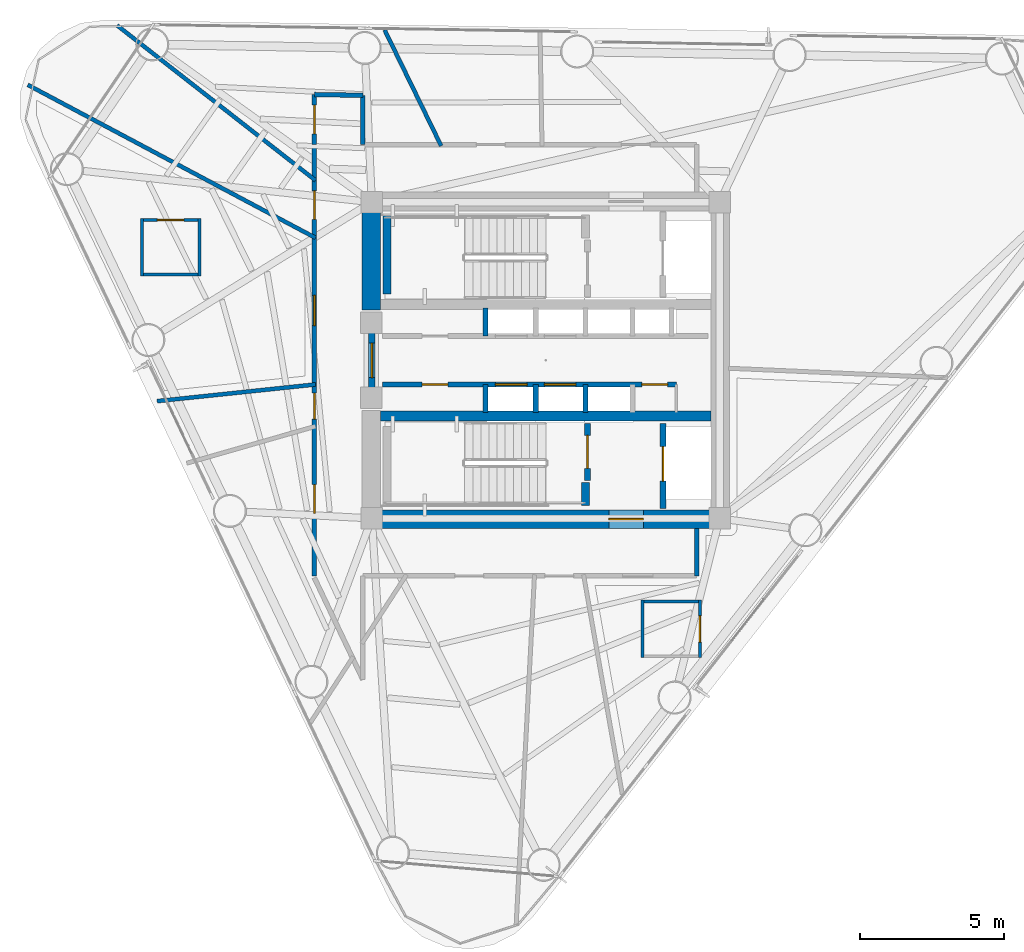
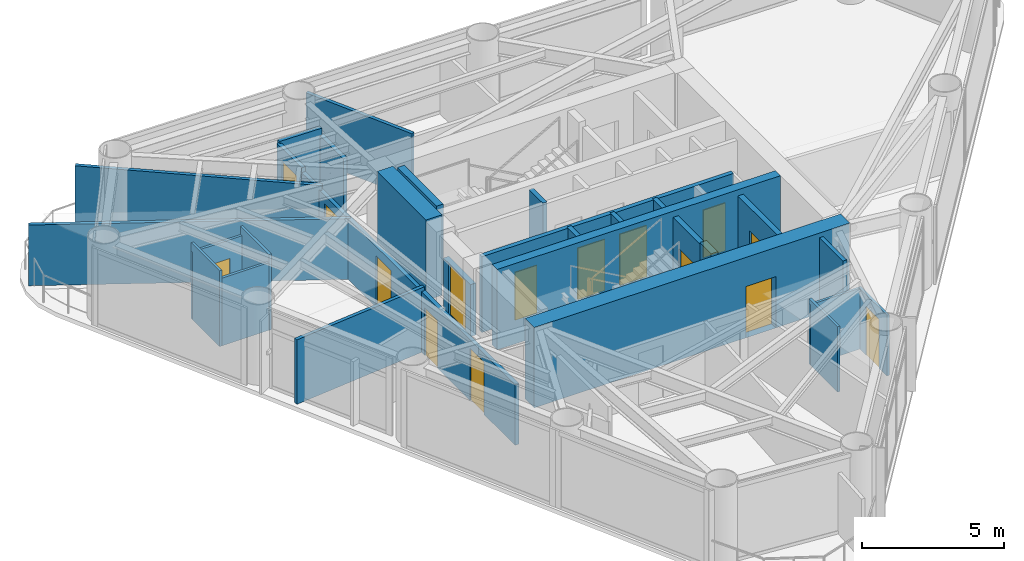
# One storey, part 5 of 10: 29 walls, 15 doors, 15 openings.
"""IFC4 building model written with IfcOpenShell, lengths in metres."""

from ifc_helpers import new_model, si_unit, direction, frame, frame_2d, origin, place, context, subcontext, project, spatial, rectangle, extrude, material, layer, layer_set, type_object, element, fill, save


model = new_model("IFC4")

# Units and contexts
model_context = context("Model", 3, precision=1e-05, world=origin(), true_north=direction((0.0, 1.0)))
body_context = subcontext(model_context, "Body", "Model", "MODEL_VIEW")
ifc_project = project(units=[si_unit("LENGTHUNIT", "METRE"), si_unit("AREAUNIT", "SQUARE_METRE"), si_unit("VOLUMEUNIT", "CUBIC_METRE"), si_unit("PLANEANGLEUNIT", "RADIAN"), si_unit("MASSUNIT", "GRAM", prefix="KILO")], contexts=[model_context])

# Site, building, storey
site_placement = place(None, origin())
site = spatial("IfcSite", under=ifc_project, at=site_placement, CompositionType="ELEMENT")
building_placement = place(site_placement, origin())
building = spatial("IfcBuilding", under=site, at=building_placement, Name="Yunling Apex Tower", CompositionType="ELEMENT")
storey_placement = place(building_placement, frame((0.0, 0.0, 191.449951171875)))
storey = spatial("IfcBuildingStorey", under=building, at=storey_placement, Name="L46", CompositionType="ELEMENT", Elevation=191.449951171875)

# Wall, opening, door
ifc_material_1 = material(Name="Concrete C50", Category="concrete")
ifc_layer_1 = layer(ifc_material_1, 0.64990234375)
ifc_layer_set_1 = layer_set([ifc_layer_1], Name="Concrete C50")
wall_type_1 = type_object("IfcWallType", Name="WL-COR-2", PredefinedType="SHEAR", material=ifc_layer_set_1)
wall_1_placement = place(storey_placement, frame((-6.39990234375, -5.52490234375, 0.0), z_axis=(0.0, 0.0, 1.0), x_axis=(1.0, 0.0, 0.0)))
wall_1 = element("IfcWall", 1, at=wall_1_placement, inside=storey, type_object=wall_type_1, Name="L46 South Core Shear Wall", PredefinedType="SHEAR", context=body_context, shape_type="SweptSolid", body=[
    extrude(rectangle(XDim=12.7998046875, YDim=0.64990234375, at=frame_2d((6.39990234375, 0.0))), origin(), (0.0, 0.0, 1.0), 3.449951171875),
])
opening_1_placement = place(wall_1_placement, frame((8.60009765625, 0.0, 0.0)))
opening_1 = element("IfcOpeningElement", 2, at=opening_1_placement, cuts=wall_1, Name="Opening DR-FFL-1", PredefinedType="OPENING", context=body_context, shape_type="SweptSolid", body=[
    extrude(rectangle(XDim=1.199951171875, YDim=2.199951171875, at=frame_2d((0.60009765625, 1.10009765625))), frame((0.0, 0.3349609375, 0.0), z_axis=(0.0, -1.0, 0.0), x_axis=(1.0, 0.0, 0.0)), (0.0, 0.0, 1.0), 0.669921875),
])
ifc_material_2 = material(Name="Steel Q355B", Category="steel")
door_type_1 = type_object("IfcDoorType", Name="DR-FFL-1", OperationType="NOTDEFINED", PredefinedType="DOOR", material=ifc_material_2)
door_1_placement = place(opening_1_placement, origin())
door_1 = element("IfcDoor", 3, at=door_1_placement, inside=storey, type_object=door_type_1, Name="L46 South Firefighting Lobby Door", OperationType="SINGLE_SWING_RIGHT", OverallHeight=2.199951171875, OverallWidth=1.199951171875, PredefinedType="DOOR", context=body_context, shape_type="SweptSolid", body=[
    extrude(rectangle(XDim=1.199951171875, YDim=2.199951171875, at=frame_2d((0.60009765625, 1.10009765625))), frame((0.0, 0.02490234375, 0.0), z_axis=(0.0, -1.0, 0.0), x_axis=(1.0, 0.0, 0.0)), (0.0, 0.0, 1.0), 0.050048828125),
])
fill(opening_1, door_1)

# Walls
wall_2_placement = place(storey_placement, frame((-6.074951171875, 1.75, 0.0), z_axis=(0.0, 0.0, 1.0), x_axis=(0.0, 1.0, 0.0)))
element("IfcWall", 4, at=wall_2_placement, inside=storey, type_object=wall_type_1, Name="L46 West-North Core Shear Wall", PredefinedType="SHEAR", context=body_context, shape_type="SweptSolid", body=[
    extrude(rectangle(XDim=3.449951171875, YDim=0.64990234375, at=frame_2d((1.72509765625, 0.0))), origin(), (0.0, 0.0, 1.0), 3.449951171875),
])
ifc_material_3 = material(Name="Concrete C40", Category="concrete")
ifc_layer_2 = layer(ifc_material_3, 0.360107421875)
ifc_layer_set_2 = layer_set([ifc_layer_2], Name="Concrete C40")
wall_type_2 = type_object("IfcWallType", Name="WL-COR-4", PredefinedType="SHEAR", material=ifc_layer_set_2)
wall_3_placement = place(storey_placement, frame((-5.75, -1.93994140625, 0.0), z_axis=(0.0, 0.0, 1.0), x_axis=(1.0, 0.0, 0.0)))
element("IfcWall", 5, at=wall_3_placement, inside=storey, type_object=wall_type_2, Name="L46 South Internal Core Shear Wall", PredefinedType="SHEAR", context=body_context, shape_type="SweptSolid", body=[
    extrude(rectangle(XDim=11.5, YDim=0.360107421875, at=frame_2d((5.75, 0.0))), origin(), (0.0, 0.0, 1.0), 3.449951171875),
])
ifc_layer_3 = layer(ifc_material_3, 0.280029296875)
ifc_layer_set_3 = layer_set([ifc_layer_3], Name="Concrete C40")
wall_type_3 = type_object("IfcWallType", Name="WL-COR-8", PredefinedType="SHEAR", material=ifc_layer_set_3)
wall_4_placement = place(storey_placement, frame((-5.52001953125, 2.300048828125, 0.0), z_axis=(0.0, 0.0, 1.0), x_axis=(0.0, 1.0, 0.0)))
element("IfcWall", 6, at=wall_4_placement, inside=storey, type_object=wall_type_3, Name="L46 ST-1 West Landing Bearing Wall", PredefinedType="SHEAR", context=body_context, shape_type="SweptSolid", body=[
    extrude(rectangle(XDim=2.75, YDim=0.280029296875, at=frame_2d((1.375, 0.0))), origin(), (0.0, 0.0, 1.0), 3.449951171875),
])
wall_5_placement = place(storey_placement, frame((1.3798828125, -5.050048828125, 0.0), z_axis=(0.0, 0.0, 1.0), x_axis=(0.0, 1.0, 0.0)))
element("IfcWall", 7, at=wall_5_placement, inside=storey, type_object=wall_type_3, Name="L46 ST-2 East Landing Bearing Pier", PredefinedType="SHEAR", context=body_context, shape_type="SweptSolid", body=[
    extrude(rectangle(XDim=0.800048828125, YDim=0.280029296875, at=frame_2d((0.39990234375, 0.0))), origin(), (0.0, 0.0, 1.0), 3.449951171875),
])

# Wall, openings, doors
ifc_material_4 = material(Name="Gypsum board acoustic partition")
ifc_layer_4 = layer(ifc_material_4, 0.159912109375)
ifc_layer_set_4 = layer_set([ifc_layer_4], Name="Gypsum board acoustic partition")
wall_type_4 = type_object("IfcWallType", Name="WL-PRT-1", PredefinedType="PARTITIONING", material=ifc_layer_set_4)
wall_6_placement = place(storey_placement, frame((-8.050048828125, -7.5, 0.0), z_axis=(0.0, 0.0, 1.0), x_axis=(0.0, 1.0, 0.0)))
wall_6 = element("IfcWall", 8, at=wall_6_placement, inside=storey, type_object=wall_type_4, Name="WL-CORR-L46-03", PredefinedType="PARTITIONING", context=body_context, shape_type="SweptSolid", body=[
    extrude(rectangle(XDim=15.0, YDim=0.159912109375, at=frame_2d((7.5, 0.0))), origin(), (0.0, 0.0, 1.0), 2.60498046875),
])
opening_2_placement = place(wall_6_placement, frame((2.1767578125, 0.0, 0.0)))
opening_2 = element("IfcOpeningElement", 9, at=opening_2_placement, cuts=wall_6, Name="Opening DR-OFF-1", PredefinedType="OPENING", context=body_context, shape_type="SweptSolid", body=[
    extrude(rectangle(XDim=1.0, YDim=2.25, at=frame_2d((0.5, 1.125))), frame((0.0, 0.08984375, 0.0), z_axis=(0.0, -1.0, 0.0), x_axis=(1.0, 0.0, 0.0)), (0.0, 0.0, 1.0), 0.179931640625),
])
opening_3_placement = place(wall_6_placement, frame((5.453369140625, 0.0, 0.0)))
opening_3 = element("IfcOpeningElement", 10, at=opening_3_placement, cuts=wall_6, Name="Opening DR-SHF-1", PredefinedType="OPENING", context=body_context, shape_type="SweptSolid", body=[
    extrude(rectangle(XDim=0.89990234375, YDim=2.050048828125, at=frame_2d((0.449951171875, 1.02490234375))), frame((0.0, 0.08984375, 0.0), z_axis=(0.0, -1.0, 0.0), x_axis=(1.0, 0.0, 0.0)), (0.0, 0.0, 1.0), 0.179931640625),
])
opening_4_placement = place(wall_6_placement, frame((8.707275390625, 0.0, 0.0)))
opening_4 = element("IfcOpeningElement", 11, at=opening_4_placement, cuts=wall_6, Name="Opening DR-FL-1", PredefinedType="OPENING", context=body_context, shape_type="SweptSolid", body=[
    extrude(rectangle(XDim=1.050048828125, YDim=2.199951171875, at=frame_2d((0.52490234375, 1.10009765625))), frame((0.0, 0.08984375, 0.0), z_axis=(0.0, -1.0, 0.0), x_axis=(1.0, 0.0, 0.0)), (0.0, 0.0, 1.0), 0.179931640625),
])
opening_5_placement = place(wall_6_placement, frame((12.397216796875, 0.0, 0.0)))
opening_5 = element("IfcOpeningElement", 12, at=opening_5_placement, cuts=wall_6, Name="Opening DR-OFF-1", PredefinedType="OPENING", context=body_context, shape_type="SweptSolid", body=[
    extrude(rectangle(XDim=1.0, YDim=2.25, at=frame_2d((0.5, 1.125))), frame((0.0, 0.08984375, 0.0), z_axis=(0.0, -1.0, 0.0), x_axis=(1.0, 0.0, 0.0)), (0.0, 0.0, 1.0), 0.179931640625),
])
ifc_material_5 = material(Name="Timber fire-rated leaf", Category="wood")
door_type_2 = type_object("IfcDoorType", Name="DR-FL-1", OperationType="NOTDEFINED", PredefinedType="DOOR", material=ifc_material_5)
door_2_placement = place(opening_4_placement, origin())
door_2 = element("IfcDoor", 13, at=door_2_placement, inside=storey, type_object=door_type_2, Name="L46 Hotel Suite Door", OperationType="SINGLE_SWING_LEFT", OverallHeight=2.199951171875, OverallWidth=1.050048828125, PredefinedType="DOOR", context=body_context, shape_type="SweptSolid", body=[
    extrude(rectangle(XDim=1.050048828125, YDim=2.199951171875, at=frame_2d((0.52490234375, 1.10009765625))), frame((0.0, 0.02490234375, 0.0), z_axis=(0.0, -1.0, 0.0), x_axis=(1.0, 0.0, 0.0)), (0.0, 0.0, 1.0), 0.050048828125),
])
fill(opening_4, door_2)
ifc_material_6 = material(Name="Bronze anodised aluminium", Category="aluminium")
door_type_3 = type_object("IfcDoorType", Name="DR-OFF-1", OperationType="NOTDEFINED", PredefinedType="DOOR", material=ifc_material_6)
door_3_placement = place(opening_2_placement, origin())
door_3 = element("IfcDoor", 14, at=door_3_placement, inside=storey, type_object=door_type_3, Name="L46 Sky Reading Lounge Door", OperationType="SINGLE_SWING_LEFT", OverallHeight=2.25, OverallWidth=1.0, PredefinedType="DOOR", context=body_context, shape_type="SweptSolid", body=[
    extrude(rectangle(XDim=1.0, YDim=2.25, at=frame_2d((0.5, 1.125))), frame((0.0, 0.02490234375, 0.0), z_axis=(0.0, -1.0, 0.0), x_axis=(1.0, 0.0, 0.0)), (0.0, 0.0, 1.0), 0.050048828125),
])
fill(opening_2, door_3)
door_4_placement = place(opening_5_placement, origin())
door_4 = element("IfcDoor", 15, at=door_4_placement, inside=storey, type_object=door_type_3, Name="L46 Club Lounge Door", OperationType="SINGLE_SWING_RIGHT", OverallHeight=2.25, OverallWidth=1.0, PredefinedType="DOOR", context=body_context, shape_type="SweptSolid", body=[
    extrude(rectangle(XDim=1.0, YDim=2.25, at=frame_2d((0.5, 1.125))), frame((0.0, 0.02490234375, 0.0), z_axis=(0.0, -1.0, 0.0), x_axis=(1.0, 0.0, 0.0)), (0.0, 0.0, 1.0), 0.050048828125),
])
fill(opening_5, door_4)
door_type_4 = type_object("IfcDoorType", Name="DR-SHF-1", OperationType="NOTDEFINED", PredefinedType="DOOR", material=ifc_material_2)
door_5_placement = place(opening_3_placement, origin())
door_5 = element("IfcDoor", 16, at=door_5_placement, inside=storey, type_object=door_type_4, Name="L46 Housekeeping Room Door", OperationType="SINGLE_SWING_RIGHT", OverallHeight=2.050048828125, OverallWidth=0.89990234375, PredefinedType="DOOR", context=body_context, shape_type="SweptSolid", body=[
    extrude(rectangle(XDim=0.89990234375, YDim=2.050048828125, at=frame_2d((0.449951171875, 1.02490234375))), frame((0.0, 0.02490234375, 0.0), z_axis=(0.0, -1.0, 0.0), x_axis=(1.0, 0.0, 0.0)), (0.0, 0.0, 1.0), 0.050048828125),
])
fill(opening_3, door_5)

# Wall, opening, door
wall_7_placement = place(storey_placement, frame((-8.050048828125, 7.5, 0.0), z_axis=(0.0, 0.0, 1.0), x_axis=(0.0, 1.0, 0.0)))
wall_7 = element("IfcWall", 17, at=wall_7_placement, inside=storey, type_object=wall_type_4, Name="WL-CORR-L46-04", PredefinedType="PARTITIONING", context=body_context, shape_type="SweptSolid", body=[
    extrude(rectangle(XDim=1.74462890625, YDim=0.159912109375, at=frame_2d((0.872314453125, 0.0))), origin(), (0.0, 0.0, 1.0), 2.804931640625),
])
opening_6_placement = place(wall_7_placement, frame((0.372314453125, 0.0, 0.0)))
opening_6 = element("IfcOpeningElement", 18, at=opening_6_placement, cuts=wall_7, Name="Opening DR-OFF-1", PredefinedType="OPENING", context=body_context, shape_type="SweptSolid", body=[
    extrude(rectangle(XDim=1.0, YDim=2.25, at=frame_2d((0.5, 1.125))), frame((0.0, 0.08984375, 0.0), z_axis=(0.0, -1.0, 0.0), x_axis=(1.0, 0.0, 0.0)), (0.0, 0.0, 1.0), 0.179931640625),
])
door_6_placement = place(opening_6_placement, origin())
door_6 = element("IfcDoor", 19, at=door_6_placement, inside=storey, type_object=door_type_3, Name="L46 Club Lounge Door", OperationType="SINGLE_SWING_LEFT", OverallHeight=2.25, OverallWidth=1.0, PredefinedType="DOOR", context=body_context, shape_type="SweptSolid", body=[
    extrude(rectangle(XDim=1.0, YDim=2.25, at=frame_2d((0.5, 1.125))), frame((0.0, 0.02490234375, 0.0), z_axis=(0.0, -1.0, 0.0), x_axis=(1.0, 0.0, 0.0)), (0.0, 0.0, 1.0), 0.050048828125),
])
fill(opening_6, door_6)

# Walls
wall_8_placement = place(storey_placement, frame((-8.050048828125, 9.24462890625, 0.0), z_axis=(0.0, 0.0, 1.0), x_axis=(0.999859611566, -0.016755809729, 0.0)))
element("IfcWall", 20, at=wall_8_placement, inside=storey, type_object=wall_type_4, Name="WL-CORR-L46-05", PredefinedType="PARTITIONING", context=body_context, shape_type="SweptSolid", body=[
    extrude(rectangle(XDim=1.690185546875, YDim=0.159912109375, at=frame_2d((0.84521484375, 0.0))), origin(), (0.0, 0.0, 1.0), 2.905029296875),
])
wall_9_placement = place(storey_placement, frame((-6.360107421875, 9.21630859375, 0.0), z_axis=(0.0, 0.0, 1.0), x_axis=(0.0, -1.0, 0.0)))
element("IfcWall", 21, at=wall_9_placement, inside=storey, type_object=wall_type_4, Name="WL-CORR-L46-06", PredefinedType="PARTITIONING", context=body_context, shape_type="SweptSolid", body=[
    extrude(rectangle(XDim=1.71630859375, YDim=0.159912109375, at=frame_2d((0.858154296875, 0.0))), origin(), (0.0, 0.0, 1.0), 2.60498046875),
])
wall_10_placement = place(storey_placement, frame((5.25, -5.85009765625, 0.0), z_axis=(0.0, 0.0, 1.0), x_axis=(0.0, -1.0, 0.0)))
element("IfcWall", 22, at=wall_10_placement, inside=storey, type_object=wall_type_4, Name="WL-CORR-L46-09", PredefinedType="PARTITIONING", context=body_context, shape_type="SweptSolid", body=[
    extrude(rectangle(XDim=1.64990234375, YDim=0.159912109375, at=frame_2d((0.824951171875, 0.0))), origin(), (0.0, 0.0, 1.0), 3.25),
])
ifc_layer_5 = layer(ifc_material_4, 0.139892578125)
ifc_layer_set_5 = layer_set([ifc_layer_5], Name="Gypsum board acoustic partition")
wall_type_5 = type_object("IfcWallType", Name="WL-PRT-2", PredefinedType="PARTITIONING", material=ifc_layer_set_5)
wall_11_placement = place(storey_placement, frame((-3.638427734375, 7.4599609375, 0.0), z_axis=(0.0, 0.0, 1.0), x_axis=(-0.438379691007, 0.898789878956, 0.0)))
element("IfcWall", 23, at=wall_11_placement, inside=storey, type_object=wall_type_5, Name="WL-RAD-L46-03", PredefinedType="PARTITIONING", context=body_context, shape_type="SweptSolid", body=[
    extrude(rectangle(XDim=4.48828125, YDim=0.139892578125, at=frame_2d((2.244140625, 0.0))), origin(), (0.0, 0.0, 1.0), 2.76513671875),
])
wall_12_placement = place(storey_placement, frame((-8.010009765625, 6.258056640625, 0.0), z_axis=(0.0, 0.0, 1.0), x_axis=(-0.788015921071, 0.615654861216, 0.0)))
element("IfcWall", 24, at=wall_12_placement, inside=storey, type_object=wall_type_5, Name="WL-RAD-L46-04", PredefinedType="PARTITIONING", context=body_context, shape_type="SweptSolid", body=[
    extrude(rectangle(XDim=8.7578125, YDim=0.139892578125, at=frame_2d((4.37890625, 0.0))), origin(), (0.0, 0.0, 1.0), 2.804931640625),
])
wall_13_placement = place(storey_placement, frame((-8.010009765625, 4.259033203125, 0.0), z_axis=(0.0, 0.0, 1.0), x_axis=(-0.882949150857, 0.469468632606, 0.0)))
element("IfcWall", 25, at=wall_13_placement, inside=storey, type_object=wall_type_5, Name="WL-RAD-L46-05", PredefinedType="PARTITIONING", context=body_context, shape_type="SweptSolid", body=[
    extrude(rectangle(XDim=11.333251953125, YDim=0.139892578125, at=frame_2d((5.66650390625, 0.0))), origin(), (0.0, 0.0, 1.0), 2.60498046875),
])
wall_14_placement = place(storey_placement, frame((-8.010009765625, -0.841796875, 0.0), z_axis=(0.0, 0.0, 1.0), x_axis=(-0.994518006468, -0.104565457063, 0.0)))
element("IfcWall", 26, at=wall_14_placement, inside=storey, type_object=wall_type_5, Name="WL-RAD-L46-06", PredefinedType="PARTITIONING", context=body_context, shape_type="SweptSolid", body=[
    extrude(rectangle(XDim=5.5380859375, YDim=0.139892578125, at=frame_2d((2.76904296875, 0.0))), origin(), (0.0, 0.0, 1.0), 2.76513671875),
])
ifc_layer_6 = layer(ifc_material_4, 0.10009765625)
ifc_layer_set_6 = layer_set([ifc_layer_6], Name="Gypsum board acoustic partition")
wall_type_6 = type_object("IfcWallType", Name="WL-PRT-4", PredefinedType="PARTITIONING", material=ifc_layer_set_6)
wall_15_placement = place(storey_placement, frame((3.31005859375, -8.39697265625, 0.0), z_axis=(0.0, 0.0, 1.0), x_axis=(1.0, 0.0, 0.0)))
element("IfcWall", 27, at=wall_15_placement, inside=storey, type_object=wall_type_6, Name="WL-ENS-L46-5N", PredefinedType="PARTITIONING", context=body_context, shape_type="SweptSolid", body=[
    extrude(rectangle(XDim=2.099853515625, YDim=0.10009765625, at=frame_2d((1.0498046875, 0.0))), origin(), (0.0, 0.0, 1.0), 2.60498046875),
])

# Wall, opening, door
wall_16_placement = place(storey_placement, frame((5.360107421875, -8.346923828125, 0.0), z_axis=(0.0, 0.0, 1.0), x_axis=(0.0, -1.0, 0.0)))
wall_16 = element("IfcWall", 28, at=wall_16_placement, inside=storey, type_object=wall_type_6, Name="WL-ENS-L46-5E", PredefinedType="PARTITIONING", context=body_context, shape_type="SweptSolid", body=[
    extrude(rectangle(XDim=2.0, YDim=0.10009765625, at=frame_2d((1.0, 0.0))), origin(), (0.0, 0.0, 1.0), 2.60498046875),
])
opening_7_placement = place(wall_16_placement, frame((0.5400390625, 0.0, 0.0)))
opening_7 = element("IfcOpeningElement", 29, at=opening_7_placement, cuts=wall_16, Name="Opening DR-WC-1", PredefinedType="OPENING", context=body_context, shape_type="SweptSolid", body=[
    extrude(rectangle(XDim=0.919921875, YDim=2.10009765625, at=frame_2d((0.4599609375, 1.050048828125))), frame((0.0, 0.06005859375, 0.0), z_axis=(0.0, -1.0, 0.0), x_axis=(1.0, 0.0, 0.0)), (0.0, 0.0, 1.0), 0.1201171875),
])
ifc_material_7 = material(Name="Timber moisture-resistant leaf", Category="wood")
door_type_5 = type_object("IfcDoorType", Name="DR-WC-1", OperationType="NOTDEFINED", PredefinedType="DOOR", material=ifc_material_7)
door_7_placement = place(opening_7_placement, origin())
door_7 = element("IfcDoor", 30, at=door_7_placement, inside=storey, type_object=door_type_5, Name="L46 En-Suite Door", OperationType="SINGLE_SWING_LEFT", OverallHeight=2.10009765625, OverallWidth=0.919921875, PredefinedType="DOOR", context=body_context, shape_type="SweptSolid", body=[
    extrude(rectangle(XDim=0.919921875, YDim=2.10009765625, at=frame_2d((0.4599609375, 1.050048828125))), frame((0.0, 0.02490234375, 0.0), z_axis=(0.0, -1.0, 0.0), x_axis=(1.0, 0.0, 0.0)), (0.0, 0.0, 1.0), 0.050048828125),
])
fill(opening_7, door_7)

# Wall
wall_17_placement = place(storey_placement, frame((3.360107421875, -10.346923828125, 0.0), z_axis=(0.0, 0.0, 1.0), x_axis=(0.0, 1.0, 0.0)))
element("IfcWall", 31, at=wall_17_placement, inside=storey, type_object=wall_type_6, Name="WL-ENS-L46-5W", PredefinedType="PARTITIONING", context=body_context, shape_type="SweptSolid", body=[
    extrude(rectangle(XDim=2.0, YDim=0.10009765625, at=frame_2d((1.0, 0.0))), origin(), (0.0, 0.0, 1.0), 2.804931640625),
])

# Wall, opening, door
wall_18_placement = place(storey_placement, frame((-14.095947265625, 4.87890625, 0.0), z_axis=(0.0, 0.0, 1.0), x_axis=(1.0, 0.0, 0.0)))
wall_18 = element("IfcWall", 32, at=wall_18_placement, inside=storey, type_object=wall_type_6, Name="WL-ENS-L46-10N", PredefinedType="PARTITIONING", context=body_context, shape_type="SweptSolid", body=[
    extrude(rectangle(XDim=2.099853515625, YDim=0.10009765625, at=frame_2d((1.0498046875, 0.0))), origin(), (0.0, 0.0, 1.0), 2.905029296875),
])
opening_8_placement = place(wall_18_placement, frame((0.590087890625, 0.0, 0.0)))
opening_8 = element("IfcOpeningElement", 33, at=opening_8_placement, cuts=wall_18, Name="Opening DR-WC-1", PredefinedType="OPENING", context=body_context, shape_type="SweptSolid", body=[
    extrude(rectangle(XDim=0.919921875, YDim=2.10009765625, at=frame_2d((0.4599609375, 1.050048828125))), frame((0.0, 0.06005859375, 0.0), z_axis=(0.0, -1.0, 0.0), x_axis=(1.0, 0.0, 0.0)), (0.0, 0.0, 1.0), 0.1201171875),
])
door_8_placement = place(opening_8_placement, origin())
door_8 = element("IfcDoor", 34, at=door_8_placement, inside=storey, type_object=door_type_5, Name="L46 En-Suite Door", OperationType="SINGLE_SWING_RIGHT", OverallHeight=2.10009765625, OverallWidth=0.919921875, PredefinedType="DOOR", context=body_context, shape_type="SweptSolid", body=[
    extrude(rectangle(XDim=0.919921875, YDim=2.10009765625, at=frame_2d((0.4599609375, 1.050048828125))), frame((0.0, 0.02490234375, 0.0), z_axis=(0.0, -1.0, 0.0), x_axis=(1.0, 0.0, 0.0)), (0.0, 0.0, 1.0), 0.050048828125),
])
fill(opening_8, door_8)

# Walls
wall_19_placement = place(storey_placement, frame((-11.99609375, 2.97900390625, 0.0), z_axis=(0.0, 0.0, 1.0), x_axis=(-1.0, 0.0, 0.0)))
element("IfcWall", 35, at=wall_19_placement, inside=storey, type_object=wall_type_6, Name="WL-ENS-L46-10S", PredefinedType="PARTITIONING", context=body_context, shape_type="SweptSolid", body=[
    extrude(rectangle(XDim=2.099853515625, YDim=0.10009765625, at=frame_2d((1.0498046875, 0.0))), origin(), (0.0, 0.0, 1.0), 2.905029296875),
])
for number, where, z_axis, x_axis, name in (
    (36, (-12.0458984375, 4.928955078125, 0.0), (0.0, 0.0, 1.0), (0.0, -1.0, 0.0), "WL-ENS-L46-10E"),
    (37, (-14.0458984375, 2.928955078125, 0.0), (0.0, 0.0, 1.0), (0.0, 1.0, 0.0), "WL-ENS-L46-10W"),
):
    element("IfcWall", number, at=place(storey_placement, frame(where, z_axis=z_axis, x_axis=x_axis)), inside=storey, type_object=wall_type_6, Name=name, PredefinedType="PARTITIONING", context=body_context, shape_type="SweptSolid", body=[
        extrude(rectangle(XDim=2.0, YDim=0.10009765625, at=frame_2d((1.0, 0.0))), origin(), (0.0, 0.0, 1.0), 3.25),
    ])

# Wall, opening, door
ifc_material_8 = material(Name="Autoclaved aerated concrete masonry", Category="masonry")
ifc_layer_7 = layer(ifc_material_8, 0.219970703125)
ifc_layer_set_7 = layer_set([ifc_layer_7], Name="Autoclaved aerated concrete masonry")
wall_type_7 = type_object("IfcWallType", Name="WL-SHF-1", PredefinedType="PLUMBINGWALL", material=ifc_layer_set_7)
wall_20_placement = place(storey_placement, frame((-6.050048828125, -0.949951171875, 0.0), z_axis=(0.0, 0.0, 1.0), x_axis=(0.0, 1.0, 0.0)))
wall_20 = element("IfcWall", 38, at=wall_20_placement, inside=storey, type_object=wall_type_7, Name="WL-COR-WPORT-L46", PredefinedType="PLUMBINGWALL", context=body_context, shape_type="SweptSolid", body=[
    extrude(rectangle(XDim=1.89990234375, YDim=0.219970703125, at=frame_2d((0.949951171875, 0.0))), origin(), (0.0, 0.0, 1.0), 2.22998046875),
])
opening_9_placement = place(wall_20_placement, frame((0.35009765625, 0.0, 0.0)))
opening_9 = element("IfcOpeningElement", 39, at=opening_9_placement, cuts=wall_20, Name="Opening DR-FFL-1", PredefinedType="OPENING", context=body_context, shape_type="SweptSolid", body=[
    extrude(rectangle(XDim=1.199951171875, YDim=2.199951171875, at=frame_2d((0.60009765625, 1.10009765625))), frame((0.0, 0.1201171875, 0.0), z_axis=(0.0, -1.0, 0.0), x_axis=(1.0, 0.0, 0.0)), (0.0, 0.0, 1.0), 0.239990234375),
])
door_9_placement = place(opening_9_placement, origin())
door_9 = element("IfcDoor", 40, at=door_9_placement, inside=storey, type_object=door_type_1, Name="L46 Passenger Lift Lobby Entrance Door", OperationType="SINGLE_SWING_LEFT", OverallHeight=2.199951171875, OverallWidth=1.199951171875, PredefinedType="DOOR", context=body_context, shape_type="SweptSolid", body=[
    extrude(rectangle(XDim=1.199951171875, YDim=2.199951171875, at=frame_2d((0.60009765625, 1.10009765625))), frame((0.0, 0.02490234375, 0.0), z_axis=(0.0, -1.0, 0.0), x_axis=(1.0, 0.0, 0.0)), (0.0, 0.0, 1.0), 0.050048828125),
])
fill(opening_9, door_9)

wall_21_placement = place(storey_placement, frame((1.449951171875, -4.179931640625, 0.0), z_axis=(0.0, 0.0, 1.0), x_axis=(0.0, 1.0, 0.0)))
wall_21 = element("IfcWall", 41, at=wall_21_placement, inside=storey, type_object=wall_type_7, Name="WL-ST2-E-L46", PredefinedType="PLUMBINGWALL", context=body_context, shape_type="SweptSolid", body=[
    extrude(rectangle(XDim=1.97998046875, YDim=0.219970703125, at=frame_2d((0.989990234375, 0.0))), origin(), (0.0, 0.0, 1.0), 3.25),
])
opening_10_placement = place(wall_21_placement, frame((0.419921875, 0.0, 0.0)))
opening_10 = element("IfcOpeningElement", 42, at=opening_10_placement, cuts=wall_21, Name="Opening DR-ST-1", PredefinedType="OPENING", context=body_context, shape_type="SweptSolid", body=[
    extrude(rectangle(XDim=1.14990234375, YDim=2.14990234375, at=frame_2d((0.574951171875, 1.074951171875))), frame((0.0, 0.1201171875, 0.0), z_axis=(0.0, -1.0, 0.0), x_axis=(1.0, 0.0, 0.0)), (0.0, 0.0, 1.0), 0.239990234375),
])
door_type_6 = type_object("IfcDoorType", Name="DR-ST-1", OperationType="NOTDEFINED", PredefinedType="DOOR", material=ifc_material_2)
door_10_placement = place(opening_10_placement, origin())
door_10 = element("IfcDoor", 43, at=door_10_placement, inside=storey, type_object=door_type_6, Name="L46 Stair ST-2 Fire Door", OperationType="SINGLE_SWING_LEFT", OverallHeight=2.14990234375, OverallWidth=1.14990234375, PredefinedType="DOOR", context=body_context, shape_type="SweptSolid", body=[
    extrude(rectangle(XDim=1.14990234375, YDim=2.14990234375, at=frame_2d((0.574951171875, 1.074951171875))), frame((0.0, 0.02490234375, 0.0), z_axis=(0.0, -1.0, 0.0), x_axis=(1.0, 0.0, 0.0)), (0.0, 0.0, 1.0), 0.050048828125),
])
fill(opening_10, door_10)

wall_22_placement = place(storey_placement, frame((4.080078125, -5.14990234375, 0.0), z_axis=(0.0, 0.0, 1.0), x_axis=(0.0, 1.0, 0.0)))
wall_22 = element("IfcWall", 44, at=wall_22_placement, inside=storey, type_object=wall_type_7, Name="WL-FFL2-W-L46", PredefinedType="PLUMBINGWALL", context=body_context, shape_type="SweptSolid", body=[
    extrude(rectangle(XDim=2.949951171875, YDim=0.219970703125, at=frame_2d((1.47509765625, 0.0))), origin(), (0.0, 0.0, 1.0), 3.25),
])
opening_11_placement = place(wall_22_placement, frame((0.949951171875, 0.0, 0.0)))
opening_11 = element("IfcOpeningElement", 45, at=opening_11_placement, cuts=wall_22, Name="Opening LD-FFL-1", PredefinedType="OPENING", context=body_context, shape_type="SweptSolid", body=[
    extrude(rectangle(XDim=1.199951171875, YDim=2.25, at=frame_2d((0.60009765625, 1.125))), frame((0.0, 0.1201171875, 0.0), z_axis=(0.0, -1.0, 0.0), x_axis=(1.0, 0.0, 0.0)), (0.0, 0.0, 1.0), 0.239990234375),
])
door_type_7 = type_object("IfcDoorType", Name="LD-FFL-1", OperationType="DOUBLE_DOOR_SLIDING", PredefinedType="DOOR", material=ifc_material_2)
door_11_placement = place(opening_11_placement, origin())
door_11 = element("IfcDoor", 46, at=door_11_placement, inside=storey, type_object=door_type_7, Name="L46 Lift FFL-2 Landing Door", OperationType="DOUBLE_DOOR_SLIDING", OverallHeight=2.25, OverallWidth=1.199951171875, PredefinedType="DOOR", context=body_context, shape_type="SweptSolid", body=[
    extrude(rectangle(XDim=1.199951171875, YDim=2.25, at=frame_2d((0.60009765625, 1.125))), frame((0.0, 0.02490234375, 0.0), z_axis=(0.0, -1.0, 0.0), x_axis=(1.0, 0.0, 0.0)), (0.0, 0.0, 1.0), 0.050048828125),
])
fill(opening_11, door_11)

# Walls
ifc_layer_8 = layer(ifc_material_8, 0.179931640625)
ifc_layer_set_8 = layer_set([ifc_layer_8], Name="Autoclaved aerated concrete masonry")
wall_type_8 = type_object("IfcWallType", Name="WL-SHF-2", PredefinedType="PLUMBINGWALL", material=ifc_layer_set_8)
for number, where, z_axis, x_axis, name in (
    (47, (-2.10009765625, 0.840087890625, 0.0), (0.0, 0.0, 1.0), (0.0, 1.0, 0.0), "WL-BNK-LM-N-L46"),
    (48, (-2.10009765625, -1.820068359375, 0.0), (0.0, 0.0, 1.0), (0.0, 1.0, 0.0), "WL-BNK-LM-S-L46"),
    (49, (-0.35009765625, -1.820068359375, 0.0), (0.0, 0.0, 1.0), (0.0, 1.0, 0.0), "WL-DIV-M34-L46"),
    (50, (1.3798828125, -1.820068359375, 0.0), (0.0, 0.0, 1.0), (0.0, 1.0, 0.0), "WL-BNK-MH-S-L46"),
):
    element("IfcWall", number, at=place(storey_placement, frame(where, z_axis=z_axis, x_axis=x_axis)), inside=storey, type_object=wall_type_8, Name=name, PredefinedType="PLUMBINGWALL", context=body_context, shape_type="SweptSolid", body=[
        extrude(rectangle(XDim=0.97998046875, YDim=0.179931640625, at=frame_2d((0.489990234375, 0.0))), origin(), (0.0, 0.0, 1.0), 3.25),
    ])

# Wall, openings, doors
wall_23_placement = place(storey_placement, frame((-5.679931640625, -0.840087890625, 0.0), z_axis=(0.0, 0.0, 1.0), x_axis=(1.0, 0.0, 0.0)))
wall_23 = element("IfcWall", 51, at=wall_23_placement, inside=storey, type_object=wall_type_8, Name="WL-LOB-S-L46", PredefinedType="PLUMBINGWALL", context=body_context, shape_type="SweptSolid", body=[
    extrude(rectangle(XDim=10.219970703125, YDim=0.179931640625, at=frame_2d((5.10986328125, 0.0))), origin(), (0.0, 0.0, 1.0), 3.25),
])
opening_12_placement = place(wall_23_placement, frame((1.3798828125, 0.0, 0.0)))
opening_12 = element("IfcOpeningElement", 52, at=opening_12_placement, cuts=wall_23, Name="Opening DR-SHF-1", PredefinedType="OPENING", context=body_context, shape_type="SweptSolid", body=[
    extrude(rectangle(XDim=0.89990234375, YDim=2.050048828125, at=frame_2d((0.449951171875, 1.02490234375))), frame((0.0, 0.10009765625, 0.0), z_axis=(0.0, -1.0, 0.0), x_axis=(1.0, 0.0, 0.0)), (0.0, 0.0, 1.0), 0.199951171875),
])
opening_13_placement = place(wall_23_placement, frame((3.929931640625, 0.0, 0.0)))
opening_13 = element("IfcOpeningElement", 53, at=opening_13_placement, cuts=wall_23, Name="Opening LD-PAS-1", PredefinedType="OPENING", context=body_context, shape_type="SweptSolid", body=[
    extrude(rectangle(XDim=1.10009765625, YDim=2.199951171875, at=frame_2d((0.550048828125, 1.10009765625))), frame((0.0, 0.10009765625, 0.0), z_axis=(0.0, -1.0, 0.0), x_axis=(1.0, 0.0, 0.0)), (0.0, 0.0, 1.0), 0.199951171875),
])
opening_14_placement = place(wall_23_placement, frame((5.6298828125, 0.0, 0.0)))
opening_14 = element("IfcOpeningElement", 54, at=opening_14_placement, cuts=wall_23, Name="Opening LD-PAS-1", PredefinedType="OPENING", context=body_context, shape_type="SweptSolid", body=[
    extrude(rectangle(XDim=1.10009765625, YDim=2.199951171875, at=frame_2d((0.550048828125, 1.10009765625))), frame((0.0, 0.10009765625, 0.0), z_axis=(0.0, -1.0, 0.0), x_axis=(1.0, 0.0, 0.0)), (0.0, 0.0, 1.0), 0.199951171875),
])
opening_15_placement = place(wall_23_placement, frame((9.02001953125, 0.0, 0.0)))
opening_15 = element("IfcOpeningElement", 55, at=opening_15_placement, cuts=wall_23, Name="Opening DR-SHF-1", PredefinedType="OPENING", context=body_context, shape_type="SweptSolid", body=[
    extrude(rectangle(XDim=0.89990234375, YDim=2.050048828125, at=frame_2d((0.449951171875, 1.02490234375))), frame((0.0, 0.10009765625, 0.0), z_axis=(0.0, -1.0, 0.0), x_axis=(1.0, 0.0, 0.0)), (0.0, 0.0, 1.0), 0.199951171875),
])
door_12_placement = place(opening_12_placement, origin())
door_12 = element("IfcDoor", 56, at=door_12_placement, inside=storey, type_object=door_type_4, Name="L46 Telecoms Room Door", OperationType="SINGLE_SWING_LEFT", OverallHeight=2.050048828125, OverallWidth=0.89990234375, PredefinedType="DOOR", context=body_context, shape_type="SweptSolid", body=[
    extrude(rectangle(XDim=0.89990234375, YDim=2.050048828125, at=frame_2d((0.449951171875, 1.02490234375))), frame((0.0, 0.02490234375, 0.0), z_axis=(0.0, -1.0, 0.0), x_axis=(1.0, 0.0, 0.0)), (0.0, 0.0, 1.0), 0.050048828125),
])
fill(opening_12, door_12)
door_13_placement = place(opening_15_placement, origin())
door_13 = element("IfcDoor", 57, at=door_13_placement, inside=storey, type_object=door_type_4, Name="L46 Core Electrical Room Door", OperationType="SINGLE_SWING_RIGHT", OverallHeight=2.050048828125, OverallWidth=0.89990234375, PredefinedType="DOOR", context=body_context, shape_type="SweptSolid", body=[
    extrude(rectangle(XDim=0.89990234375, YDim=2.050048828125, at=frame_2d((0.449951171875, 1.02490234375))), frame((0.0, 0.02490234375, 0.0), z_axis=(0.0, -1.0, 0.0), x_axis=(1.0, 0.0, 0.0)), (0.0, 0.0, 1.0), 0.050048828125),
])
fill(opening_15, door_13)
ifc_material_9 = material(Name="Silver anodised aluminium", Category="aluminium")
door_type_8 = type_object("IfcDoorType", Name="LD-PAS-1", OperationType="DOUBLE_DOOR_SLIDING", PredefinedType="DOOR", material=ifc_material_9)
door_14_placement = place(opening_13_placement, origin())
door_14 = element("IfcDoor", 58, at=door_14_placement, inside=storey, type_object=door_type_8, Name="L46 Lift PL-M3 Landing Door", OperationType="DOUBLE_DOOR_SLIDING", OverallHeight=2.199951171875, OverallWidth=1.10009765625, PredefinedType="DOOR", context=body_context, shape_type="SweptSolid", body=[
    extrude(rectangle(XDim=1.10009765625, YDim=2.199951171875, at=frame_2d((0.550048828125, 1.10009765625))), frame((0.0, 0.02490234375, 0.0), z_axis=(0.0, -1.0, 0.0), x_axis=(1.0, 0.0, 0.0)), (0.0, 0.0, 1.0), 0.050048828125),
])
fill(opening_13, door_14)
door_15_placement = place(opening_14_placement, origin())
door_15 = element("IfcDoor", 59, at=door_15_placement, inside=storey, type_object=door_type_8, Name="L46 Lift PL-M4 Landing Door", OperationType="DOUBLE_DOOR_SLIDING", OverallHeight=2.199951171875, OverallWidth=1.10009765625, PredefinedType="DOOR", context=body_context, shape_type="SweptSolid", body=[
    extrude(rectangle(XDim=1.10009765625, YDim=2.199951171875, at=frame_2d((0.550048828125, 1.10009765625))), frame((0.0, 0.02490234375, 0.0), z_axis=(0.0, -1.0, 0.0), x_axis=(1.0, 0.0, 0.0)), (0.0, 0.0, 1.0), 0.050048828125),
])
fill(opening_14, door_15)

save(model, "model.ifc")
